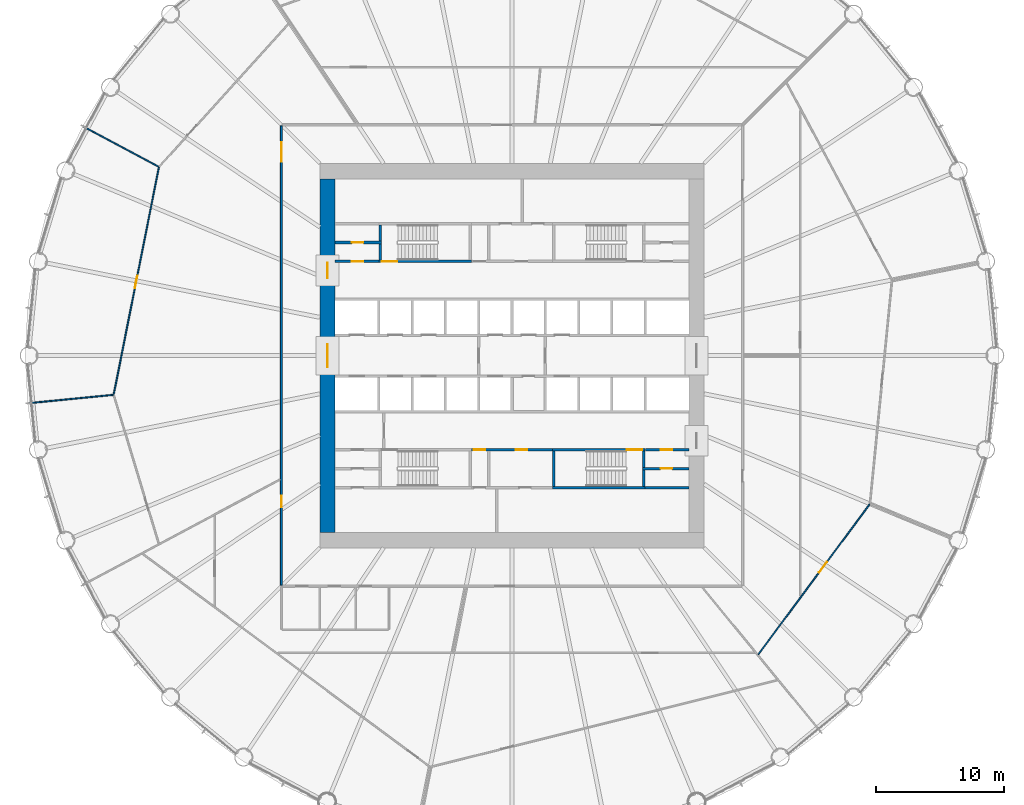
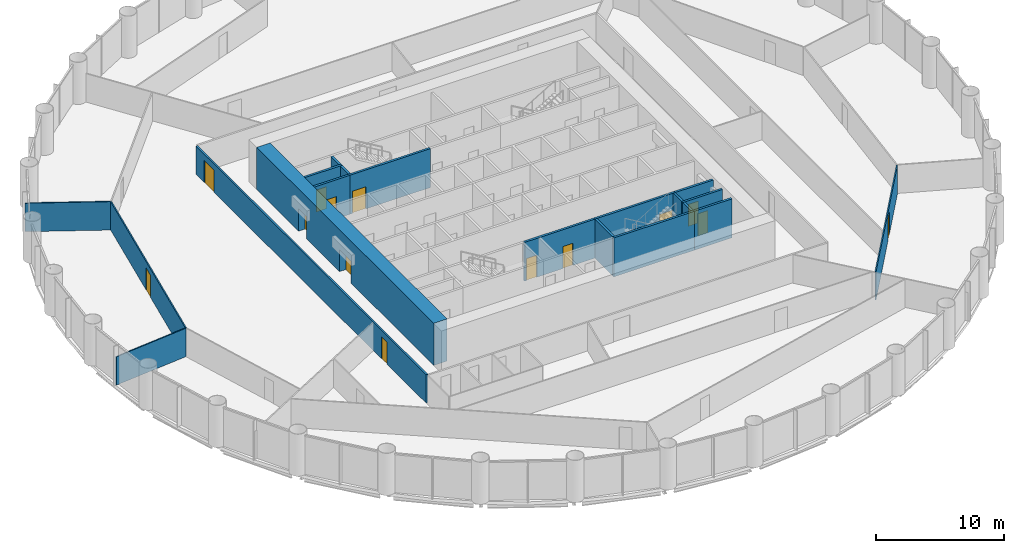
# One storey, part 11 of 15: 20 walls, 14 doors, 14 openings.
"""IFC4 building model written with IfcOpenShell, lengths in metres."""

from ifc_helpers import new_model, si_unit, direction, frame, frame_2d, origin, place, context, subcontext, project, spatial, polyline, rectangle, outline, extrude, material, layer, layer_set, type_object, element, fill, save


model = new_model("IFC4")

# Units and contexts
model_context = context("Model", 3, precision=1e-05, world=origin(), true_north=direction((0.0, 1.0)))
body_context = subcontext(model_context, "Body", "Model", "MODEL_VIEW")
ifc_project = project(units=[si_unit("LENGTHUNIT", "METRE"), si_unit("AREAUNIT", "SQUARE_METRE"), si_unit("VOLUMEUNIT", "CUBIC_METRE"), si_unit("PLANEANGLEUNIT", "RADIAN"), si_unit("MASSUNIT", "GRAM", prefix="KILO")], contexts=[model_context])

# Site, building, storey
site_placement = place(None, origin())
site = spatial("IfcSite", under=ifc_project, at=site_placement, CompositionType="ELEMENT")
building_placement = place(site_placement, origin())
building = spatial("IfcBuilding", under=site, at=building_placement, Name="Corvane Civic Tower", CompositionType="ELEMENT")
storey_placement = place(building_placement, frame((0.0, 0.0, 41.0)))
storey = spatial("IfcBuildingStorey", under=building, at=storey_placement, Name="L08", CompositionType="ELEMENT", Elevation=41.0)

# Wall, openings, doors
ifc_material_1 = material(Name="Concrete C80/95", Category="concrete")
ifc_layer_1 = layer(ifc_material_1, 1.199951171875)
ifc_layer_set_1 = layer_set([ifc_layer_1], Name="Concrete C80/95")
wall_type_1 = type_object("IfcWallType", Name="CORE WALL 1200 C80/95", PredefinedType="SHEAR", material=ifc_layer_set_1)
wall_1_placement = place(storey_placement, frame((-14.39990234375, -13.800048828125, 0.0), z_axis=(0.0, 0.0, 1.0), x_axis=(0.0, 1.0, 0.0)))
wall_1 = element("IfcWall", 1, at=wall_1_placement, inside=storey, type_object=wall_type_1, Name="W-L08-core-W", PredefinedType="SHEAR", context=body_context, shape_type="SweptSolid", body=[
    extrude(rectangle(XDim=27.60009765625, YDim=1.199951171875, at=frame_2d((13.800048828125, 0.0))), origin(), (0.0, 0.0, 1.0), 4.0),
])
opening_1_placement = place(wall_1_placement, frame((12.89990234375, 0.0, 0.0)))
opening_1 = element("IfcOpeningElement", 2, at=opening_1_placement, cuts=wall_1, Name="Opening L08.C26", PredefinedType="OPENING", context=body_context, shape_type="SweptSolid", body=[
    extrude(rectangle(XDim=1.800048828125, YDim=2.10009765625, at=frame_2d((0.89990234375, 1.050048828125))), frame((0.0, 0.60986328125, 0.0), z_axis=(0.0, -1.0, 0.0), x_axis=(1.0, 0.0, 0.0)), (0.0, 0.0, 1.0), 1.219970703125),
])
opening_2_placement = place(wall_1_placement, frame((19.85009765625, 0.0, 0.0)))
opening_2 = element("IfcOpeningElement", 3, at=opening_2_placement, cuts=wall_1, Name="Opening L08.C28", PredefinedType="OPENING", context=body_context, shape_type="SweptSolid", body=[
    extrude(rectangle(XDim=1.199951171875, YDim=2.10009765625, at=frame_2d((0.60009765625, 1.050048828125))), frame((0.0, 0.60986328125, 0.0), z_axis=(0.0, -1.0, 0.0), x_axis=(1.0, 0.0, 0.0)), (0.0, 0.0, 1.0), 1.219970703125),
])
ifc_material_2 = material(Name="Steel fire door leaf", Category="steel")
door_type_1 = type_object("IfcDoorType", Name="CR-DOOR-CORE-1800", OperationType="DOUBLE_DOOR_SINGLE_SWING", PredefinedType="DOOR", material=ifc_material_2)
door_1_placement = place(opening_1_placement, origin())
door_1 = element("IfcDoor", 4, at=door_1_placement, inside=storey, type_object=door_type_1, Name="L08 door", OperationType="DOUBLE_DOOR_SINGLE_SWING", OverallHeight=2.10009765625, OverallWidth=1.800048828125, PredefinedType="DOOR", context=body_context, shape_type="SweptSolid", body=[
    extrude(rectangle(XDim=1.800048828125, YDim=2.10009765625, at=frame_2d((0.89990234375, 1.050048828125))), frame((0.0, 0.02490234375, 0.0), z_axis=(0.0, -1.0, 0.0), x_axis=(1.0, 0.0, 0.0)), (0.0, 0.0, 1.0), 0.050048828125),
])
fill(opening_1, door_1)
door_2_placement = place(opening_2_placement, origin())
door_2 = element("IfcDoor", 5, at=door_2_placement, inside=storey, type_object=door_type_1, Name="L08 door", OperationType="DOUBLE_DOOR_SINGLE_SWING", OverallHeight=2.10009765625, OverallWidth=1.199951171875, PredefinedType="DOOR", context=body_context, shape_type="SweptSolid", body=[
    extrude(rectangle(XDim=1.199951171875, YDim=2.10009765625, at=frame_2d((0.60009765625, 1.050048828125))), frame((0.0, 0.02490234375, 0.0), z_axis=(0.0, -1.0, 0.0), x_axis=(1.0, 0.0, 0.0)), (0.0, 0.0, 1.0), 0.050048828125),
])
fill(opening_2, door_2)

# Wall, opening, door
ifc_material_3 = material(Name="Concrete C30/37", Category="concrete")
ifc_layer_2 = layer(ifc_material_3, 0.199951171875)
ifc_layer_set_2 = layer_set([ifc_layer_2], Name="Concrete C30/37")
wall_type_2 = type_object("IfcWallType", Name="CR-WALL-200", PredefinedType="PARTITIONING", material=ifc_layer_set_2)
wall_2_placement = place(storey_placement, frame((10.199951171875, -8.824951171875, 0.0), z_axis=(0.0, 0.0, 1.0), x_axis=(1.0, 0.0, 0.0)))
wall_2 = element("IfcWall", 6, at=wall_2_placement, inside=storey, type_object=wall_type_2, Name="L08 partition wall", PredefinedType="PARTITIONING", context=body_context, shape_type="SweptSolid", body=[
    extrude(rectangle(XDim=3.60009765625, YDim=0.199951171875, at=frame_2d((1.800048828125, 0.0))), origin(), (0.0, 0.0, 1.0), 3.699951171875),
])
opening_3_placement = place(wall_2_placement, frame((1.39990234375, 0.0, 0.0)))
opening_3 = element("IfcOpeningElement", 7, at=opening_3_placement, cuts=wall_2, Name="Opening L08.C18", PredefinedType="OPENING", context=body_context, shape_type="SweptSolid", body=[
    extrude(rectangle(XDim=0.89990234375, YDim=2.10009765625, at=frame_2d((0.449951171875, 1.050048828125))), frame((0.0, 0.10986328125, 0.0), z_axis=(0.0, -1.0, 0.0), x_axis=(1.0, 0.0, 0.0)), (0.0, 0.0, 1.0), 0.219970703125),
])
ifc_material_4 = material(Name="Steel fire door leaf", Category="steel")
door_type_2 = type_object("IfcDoorType", Name="CR-DOOR-900", OperationType="SINGLE_SWING_LEFT", PredefinedType="DOOR", material=ifc_material_4)
door_3_placement = place(opening_3_placement, origin())
door_3 = element("IfcDoor", 8, at=door_3_placement, inside=storey, type_object=door_type_2, Name="L08 door", OperationType="SINGLE_SWING_LEFT", OverallHeight=2.10009765625, OverallWidth=0.89990234375, PredefinedType="DOOR", context=body_context, shape_type="SweptSolid", body=[
    extrude(rectangle(XDim=0.89990234375, YDim=2.10009765625, at=frame_2d((0.449951171875, 1.050048828125))), frame((0.0, 0.02490234375, 0.0), z_axis=(0.0, -1.0, 0.0), x_axis=(1.0, 0.0, 0.0)), (0.0, 0.0, 1.0), 0.050048828125),
])
fill(opening_3, door_3)

# Wall, openings, doors
wall_3_placement = place(storey_placement, frame((-3.14990234375, -7.35009765625, 0.0), z_axis=(0.0, 0.0, 1.0), x_axis=(1.0, 0.0, 0.0)))
wall_3 = element("IfcWall", 9, at=wall_3_placement, inside=storey, type_object=wall_type_2, Name="L08 core partition wall", PredefinedType="PARTITIONING", context=body_context, shape_type="SweptSolid", body=[
    extrude(rectangle(XDim=6.2998046875, YDim=0.199951171875, at=frame_2d((3.14990234375, 0.0))), origin(), (0.0, 0.0, 1.0), 3.699951171875),
])
opening_4_placement = place(wall_3_placement, frame((0.175048828125, 0.0, 0.0)))
opening_4 = element("IfcOpeningElement", 10, at=opening_4_placement, cuts=wall_3, Name="Opening L08.C04", PredefinedType="OPENING", context=body_context, shape_type="SweptSolid", body=[
    extrude(rectangle(XDim=0.89990234375, YDim=2.10009765625, at=frame_2d((0.449951171875, 1.050048828125))), frame((0.0, 0.10986328125, 0.0), z_axis=(0.0, -1.0, 0.0), x_axis=(1.0, 0.0, 0.0)), (0.0, 0.0, 1.0), 0.219970703125),
])
opening_5_placement = place(wall_3_placement, frame((3.425048828125, 0.0, 0.0)))
opening_5 = element("IfcOpeningElement", 11, at=opening_5_placement, cuts=wall_3, Name="Opening L08.C05", PredefinedType="OPENING", context=body_context, shape_type="SweptSolid", body=[
    extrude(rectangle(XDim=0.89990234375, YDim=2.10009765625, at=frame_2d((0.449951171875, 1.050048828125))), frame((0.0, 0.10986328125, 0.0), z_axis=(0.0, -1.0, 0.0), x_axis=(1.0, 0.0, 0.0)), (0.0, 0.0, 1.0), 0.219970703125),
])
door_4_placement = place(opening_4_placement, origin())
door_4 = element("IfcDoor", 12, at=door_4_placement, inside=storey, type_object=door_type_2, Name="L08 door", OperationType="SINGLE_SWING_LEFT", OverallHeight=2.10009765625, OverallWidth=0.89990234375, PredefinedType="DOOR", context=body_context, shape_type="SweptSolid", body=[
    extrude(rectangle(XDim=0.89990234375, YDim=2.10009765625, at=frame_2d((0.449951171875, 1.050048828125))), frame((0.0, 0.02490234375, 0.0), z_axis=(0.0, -1.0, 0.0), x_axis=(1.0, 0.0, 0.0)), (0.0, 0.0, 1.0), 0.050048828125),
])
fill(opening_4, door_4)
door_5_placement = place(opening_5_placement, origin())
door_5 = element("IfcDoor", 13, at=door_5_placement, inside=storey, type_object=door_type_2, Name="L08 door", OperationType="SINGLE_SWING_LEFT", OverallHeight=2.10009765625, OverallWidth=0.89990234375, PredefinedType="DOOR", context=body_context, shape_type="SweptSolid", body=[
    extrude(rectangle(XDim=0.89990234375, YDim=2.10009765625, at=frame_2d((0.449951171875, 1.050048828125))), frame((0.0, 0.02490234375, 0.0), z_axis=(0.0, -1.0, 0.0), x_axis=(1.0, 0.0, 0.0)), (0.0, 0.0, 1.0), 0.050048828125),
])
fill(opening_5, door_5)

# Wall, opening, door
wall_4_placement = place(storey_placement, frame((10.39990234375, -7.35009765625, 0.0), z_axis=(0.0, 0.0, 1.0), x_axis=(1.0, 0.0, 0.0)))
wall_4 = element("IfcWall", 14, at=wall_4_placement, inside=storey, type_object=wall_type_2, Name="L08 core partition wall", PredefinedType="PARTITIONING", context=body_context, shape_type="SweptSolid", body=[
    extrude(rectangle(XDim=3.400146484375, YDim=0.199951171875, at=frame_2d((1.7001953125, 0.0))), origin(), (0.0, 0.0, 1.0), 3.699951171875),
])
opening_6_placement = place(wall_4_placement, frame((1.199951171875, 0.0, 0.0)))
opening_6 = element("IfcOpeningElement", 15, at=opening_6_placement, cuts=wall_4, Name="Opening L08.C17", PredefinedType="OPENING", context=body_context, shape_type="SweptSolid", body=[
    extrude(rectangle(XDim=0.89990234375, YDim=2.10009765625, at=frame_2d((0.449951171875, 1.050048828125))), frame((0.0, 0.10986328125, 0.0), z_axis=(0.0, -1.0, 0.0), x_axis=(1.0, 0.0, 0.0)), (0.0, 0.0, 1.0), 0.219970703125),
])
door_6_placement = place(opening_6_placement, origin())
door_6 = element("IfcDoor", 16, at=door_6_placement, inside=storey, type_object=door_type_2, Name="L08 door", OperationType="SINGLE_SWING_LEFT", OverallHeight=2.10009765625, OverallWidth=0.89990234375, PredefinedType="DOOR", context=body_context, shape_type="SweptSolid", body=[
    extrude(rectangle(XDim=0.89990234375, YDim=2.10009765625, at=frame_2d((0.449951171875, 1.050048828125))), frame((0.0, 0.02490234375, 0.0), z_axis=(0.0, -1.0, 0.0), x_axis=(1.0, 0.0, 0.0)), (0.0, 0.0, 1.0), 0.050048828125),
])
fill(opening_6, door_6)

wall_5_placement = place(storey_placement, frame((-13.800048828125, 7.35009765625, 0.0), z_axis=(0.0, 0.0, 1.0), x_axis=(1.0, 0.0, 0.0)))
wall_5 = element("IfcWall", 17, at=wall_5_placement, inside=storey, type_object=wall_type_2, Name="L08 core partition wall", PredefinedType="PARTITIONING", context=body_context, shape_type="SweptSolid", body=[
    extrude(rectangle(XDim=3.400146484375, YDim=0.199951171875, at=frame_2d((1.7001953125, 0.0))), origin(), (0.0, 0.0, 1.0), 3.699951171875),
])
opening_7_placement = place(wall_5_placement, frame((1.300048828125, 0.0, 0.0)))
opening_7 = element("IfcOpeningElement", 18, at=opening_7_placement, cuts=wall_5, Name="Opening L08.C10", PredefinedType="OPENING", context=body_context, shape_type="SweptSolid", body=[
    extrude(rectangle(XDim=0.89990234375, YDim=2.10009765625, at=frame_2d((0.449951171875, 1.050048828125))), frame((0.0, 0.10986328125, 0.0), z_axis=(0.0, -1.0, 0.0), x_axis=(1.0, 0.0, 0.0)), (0.0, 0.0, 1.0), 0.219970703125),
])
door_7_placement = place(opening_7_placement, origin())
door_7 = element("IfcDoor", 19, at=door_7_placement, inside=storey, type_object=door_type_2, Name="L08 door", OperationType="SINGLE_SWING_LEFT", OverallHeight=2.10009765625, OverallWidth=0.89990234375, PredefinedType="DOOR", context=body_context, shape_type="SweptSolid", body=[
    extrude(rectangle(XDim=0.89990234375, YDim=2.10009765625, at=frame_2d((0.449951171875, 1.050048828125))), frame((0.0, 0.02490234375, 0.0), z_axis=(0.0, -1.0, 0.0), x_axis=(1.0, 0.0, 0.0)), (0.0, 0.0, 1.0), 0.050048828125),
])
fill(opening_7, door_7)

wall_6_placement = place(storey_placement, frame((-13.800048828125, 8.824951171875, 0.0), z_axis=(0.0, 0.0, 1.0), x_axis=(1.0, 0.0, 0.0)))
wall_6 = element("IfcWall", 20, at=wall_6_placement, inside=storey, type_object=wall_type_2, Name="L08 partition wall", PredefinedType="PARTITIONING", context=body_context, shape_type="SweptSolid", body=[
    extrude(rectangle(XDim=3.60009765625, YDim=0.199951171875, at=frame_2d((1.800048828125, 0.0))), origin(), (0.0, 0.0, 1.0), 3.699951171875),
])
opening_8_placement = place(wall_6_placement, frame((1.300048828125, 0.0, 0.0)))
opening_8 = element("IfcOpeningElement", 21, at=opening_8_placement, cuts=wall_6, Name="Opening L08.C11", PredefinedType="OPENING", context=body_context, shape_type="SweptSolid", body=[
    extrude(rectangle(XDim=0.89990234375, YDim=2.10009765625, at=frame_2d((0.449951171875, 1.050048828125))), frame((0.0, 0.10986328125, 0.0), z_axis=(0.0, -1.0, 0.0), x_axis=(1.0, 0.0, 0.0)), (0.0, 0.0, 1.0), 0.219970703125),
])
door_8_placement = place(opening_8_placement, origin())
door_8 = element("IfcDoor", 22, at=door_8_placement, inside=storey, type_object=door_type_2, Name="L08 door", OperationType="SINGLE_SWING_LEFT", OverallHeight=2.10009765625, OverallWidth=0.89990234375, PredefinedType="DOOR", context=body_context, shape_type="SweptSolid", body=[
    extrude(rectangle(XDim=0.89990234375, YDim=2.10009765625, at=frame_2d((0.449951171875, 1.050048828125))), frame((0.0, 0.02490234375, 0.0), z_axis=(0.0, -1.0, 0.0), x_axis=(1.0, 0.0, 0.0)), (0.0, 0.0, 1.0), 0.050048828125),
])
fill(opening_8, door_8)

# Wall
wall_7_placement = place(storey_placement, origin())
element("IfcWall", 23, at=wall_7_placement, inside=storey, type_object=wall_type_2, Name="L08 core partition wall", PredefinedType="PARTITIONING", context=body_context, shape_type="SweptSolid", body=[
    extrude(outline(polyline([(10.39990234375, -10.39990234375), (10.39990234375, -10.199951171875), (13.800048828125, -10.199951171875), (13.800048828125, -10.39990234375), (10.39990234375, -10.39990234375)])), origin(), (0.0, 0.0, 1.0), 3.699951171875),
])

# Wall, opening, door
ifc_material_5 = material(Name="Plasterboard")
ifc_layer_3 = layer(ifc_material_5, 0.10009765625)
ifc_layer_set_3 = layer_set([ifc_layer_3], Name="Plasterboard")
wall_type_3 = type_object("IfcWallType", Name="Partition 100 plasterboard on studs", PredefinedType="PARTITIONING", material=ifc_layer_set_3)
wall_8_placement = place(storey_placement, frame((19.222900390625, -23.3251953125, 0.0), z_axis=(0.0, 0.0, 1.0), x_axis=(0.595692367328, 0.803212676386, 0.0)))
wall_8 = element("IfcWall", 24, at=wall_8_placement, inside=storey, type_object=wall_type_3, Name="Partition L08.005", PredefinedType="PARTITIONING", context=body_context, shape_type="SweptSolid", body=[
    extrude(rectangle(XDim=14.5927734375, YDim=0.10009765625, at=frame_2d((7.29638671875, 0.0))), origin(), (0.0, 0.0, 1.0), 2.699951171875),
])
opening_9_placement = place(wall_8_placement, frame((7.977783203125, 0.0, 0.0)))
opening_9 = element("IfcOpeningElement", 25, at=opening_9_placement, cuts=wall_8, Name="Opening L08.003", PredefinedType="OPENING", context=body_context, shape_type="SweptSolid", body=[
    extrude(rectangle(XDim=1.0, YDim=2.10009765625, at=frame_2d((0.5, 1.050048828125))), frame((0.0, 0.06005859375, 0.0), z_axis=(0.0, -1.0, 0.0), x_axis=(1.0, 0.0, 0.0)), (0.0, 0.0, 1.0), 0.1201171875),
])
ifc_material_6 = material(Name="Timber", Category="wood")
door_type_3 = type_object("IfcDoorType", Name="Single door 1000", OperationType="NOTDEFINED", PredefinedType="DOOR", material=ifc_material_6)
door_9_placement = place(opening_9_placement, frame((1.0, 0.0, 0.0), z_axis=(0.0, 0.0, 1.0), x_axis=(-1.0, 0.0, 0.0)))
door_9 = element("IfcDoor", 26, at=door_9_placement, inside=storey, type_object=door_type_3, Name="Door L08.003", OperationType="SINGLE_SWING_LEFT", OverallHeight=2.10009765625, OverallWidth=1.0, PredefinedType="DOOR", context=body_context, shape_type="SweptSolid", body=[
    extrude(rectangle(XDim=1.0, YDim=2.10009765625, at=frame_2d((0.5, 1.050048828125))), frame((0.0, 0.02490234375, 0.0), z_axis=(0.0, -1.0, 0.0), x_axis=(1.0, 0.0, 0.0)), (0.0, 0.0, 1.0), 0.050048828125),
])
fill(opening_9, door_9)

# Wall
wall_9_placement = place(storey_placement, frame((-37.767333984375, -3.7197265625, 0.0), z_axis=(0.0, 0.0, 1.0), x_axis=(0.995186878192, 0.097995293128, 0.0)))
element("IfcWall", 27, at=wall_9_placement, inside=storey, type_object=wall_type_3, Name="Partition L08.022", PredefinedType="PARTITIONING", context=body_context, shape_type="SweptSolid", body=[
    extrude(rectangle(XDim=6.666748046875, YDim=0.10009765625, at=frame_2d((3.33349609375, 0.0))), origin(), (0.0, 0.0, 1.0), 2.699951171875),
])

# Wall, opening, door
wall_10_placement = place(storey_placement, frame((-31.08447265625, -3.02587890625, 0.0), z_axis=(0.0, 0.0, 1.0), x_axis=(0.195094577549, 0.980784433916, 0.0)))
wall_10 = element("IfcWall", 28, at=wall_10_placement, inside=storey, type_object=wall_type_3, Name="Partition L08.023", PredefinedType="PARTITIONING", context=body_context, shape_type="SweptSolid", body=[
    extrude(rectangle(XDim=18.06396484375, YDim=0.10009765625, at=frame_2d((9.031982421875, 0.0))), origin(), (0.0, 0.0, 1.0), 2.699951171875),
])
opening_10_placement = place(wall_10_placement, frame((8.44921875, 0.0, 0.0)))
opening_10 = element("IfcOpeningElement", 29, at=opening_10_placement, cuts=wall_10, Name="Opening L08.017", PredefinedType="OPENING", context=body_context, shape_type="SweptSolid", body=[
    extrude(rectangle(XDim=1.0, YDim=2.10009765625, at=frame_2d((0.5, 1.050048828125))), frame((0.0, 0.06005859375, 0.0), z_axis=(0.0, -1.0, 0.0), x_axis=(1.0, 0.0, 0.0)), (0.0, 0.0, 1.0), 0.1201171875),
])
door_10_placement = place(opening_10_placement, origin())
door_10 = element("IfcDoor", 30, at=door_10_placement, inside=storey, type_object=door_type_3, Name="Door L08.017", OperationType="SINGLE_SWING_LEFT", OverallHeight=2.10009765625, OverallWidth=1.0, PredefinedType="DOOR", context=body_context, shape_type="SweptSolid", body=[
    extrude(rectangle(XDim=1.0, YDim=2.10009765625, at=frame_2d((0.5, 1.050048828125))), frame((0.0, 0.02490234375, 0.0), z_axis=(0.0, -1.0, 0.0), x_axis=(1.0, 0.0, 0.0)), (0.0, 0.0, 1.0), 0.050048828125),
])
fill(opening_10, door_10)

# Wall
wall_11_placement = place(storey_placement, frame((-33.468994140625, 17.8896484375, 0.0), z_axis=(0.0, 0.0, 1.0), x_axis=(0.881919860776, -0.471399362717, 0.0)))
element("IfcWall", 31, at=wall_11_placement, inside=storey, type_object=wall_type_3, Name="Partition L08.027", PredefinedType="PARTITIONING", context=body_context, shape_type="SweptSolid", body=[
    extrude(rectangle(XDim=6.669189453125, YDim=0.10009765625, at=frame_2d((3.33447265625, 0.0))), origin(), (0.0, 0.0, 1.0), 2.699951171875),
])

# Wall, opening, door
ifc_material_7 = material(Name="Concrete C50/60", Category="concrete")
ifc_layer_4 = layer(ifc_material_7, 0.199951171875)
ifc_layer_set_4 = layer_set([ifc_layer_4], Name="Concrete C50/60")
wall_type_4 = type_object("IfcWallType", Name="ST-WALL-200", PredefinedType="SHEAR", material=ifc_layer_set_4)
wall_12_placement = place(storey_placement, frame((3.14990234375, -7.35009765625, 0.0), z_axis=(0.0, 0.0, 1.0), x_axis=(1.0, 0.0, 0.0)))
wall_12 = element("IfcWall", 32, at=wall_12_placement, inside=storey, type_object=wall_type_4, Name="L08 stair enclosure wall", PredefinedType="SHEAR", context=body_context, shape_type="SweptSolid", body=[
    extrude(rectangle(XDim=7.25, YDim=0.199951171875, at=frame_2d((3.625, 0.0))), origin(), (0.0, 0.0, 1.0), 3.699951171875),
])
opening_11_placement = place(wall_12_placement, frame((5.800048828125, 0.0, 0.0)))
opening_11 = element("IfcOpeningElement", 33, at=opening_11_placement, cuts=wall_12, Name="Opening L08.C21", PredefinedType="OPENING", context=body_context, shape_type="SweptSolid", body=[
    extrude(rectangle(XDim=1.199951171875, YDim=2.10009765625, at=frame_2d((0.60009765625, 1.050048828125))), frame((0.0, 0.10986328125, 0.0), z_axis=(0.0, -1.0, 0.0), x_axis=(1.0, 0.0, 0.0)), (0.0, 0.0, 1.0), 0.219970703125),
])
ifc_material_8 = material(Name="Steel fire door leaf", Category="steel")
door_type_4 = type_object("IfcDoorType", Name="ST-DOOR-1200", OperationType="SINGLE_SWING_RIGHT", PredefinedType="DOOR", material=ifc_material_8)
door_11_placement = place(opening_11_placement, origin())
door_11 = element("IfcDoor", 34, at=door_11_placement, inside=storey, type_object=door_type_4, Name="L08 stair door", OperationType="SINGLE_SWING_RIGHT", OverallHeight=2.10009765625, OverallWidth=1.199951171875, PredefinedType="DOOR", context=body_context, shape_type="SweptSolid", body=[
    extrude(rectangle(XDim=1.199951171875, YDim=2.10009765625, at=frame_2d((0.60009765625, 1.050048828125))), frame((0.0, 0.02490234375, 0.0), z_axis=(0.0, -1.0, 0.0), x_axis=(1.0, 0.0, 0.0)), (0.0, 0.0, 1.0), 0.050048828125),
])
fill(opening_11, door_11)

wall_13_placement = place(storey_placement, frame((-10.39990234375, 7.35009765625, 0.0), z_axis=(0.0, 0.0, 1.0), x_axis=(1.0, 0.0, 0.0)))
wall_13 = element("IfcWall", 35, at=wall_13_placement, inside=storey, type_object=wall_type_4, Name="L08 stair enclosure wall", PredefinedType="SHEAR", context=body_context, shape_type="SweptSolid", body=[
    extrude(rectangle(XDim=7.25, YDim=0.199951171875, at=frame_2d((3.625, 0.0))), origin(), (0.0, 0.0, 1.0), 3.699951171875),
])
opening_12_placement = place(wall_13_placement, frame((0.25, 0.0, 0.0)))
opening_12 = element("IfcOpeningElement", 36, at=opening_12_placement, cuts=wall_13, Name="Opening L08.C20", PredefinedType="OPENING", context=body_context, shape_type="SweptSolid", body=[
    extrude(rectangle(XDim=1.199951171875, YDim=2.10009765625, at=frame_2d((0.60009765625, 1.050048828125))), frame((0.0, 0.10986328125, 0.0), z_axis=(0.0, -1.0, 0.0), x_axis=(1.0, 0.0, 0.0)), (0.0, 0.0, 1.0), 0.219970703125),
])
door_12_placement = place(opening_12_placement, origin())
door_12 = element("IfcDoor", 37, at=door_12_placement, inside=storey, type_object=door_type_4, Name="L08 stair door", OperationType="SINGLE_SWING_RIGHT", OverallHeight=2.10009765625, OverallWidth=1.199951171875, PredefinedType="DOOR", context=body_context, shape_type="SweptSolid", body=[
    extrude(rectangle(XDim=1.199951171875, YDim=2.10009765625, at=frame_2d((0.60009765625, 1.050048828125))), frame((0.0, 0.02490234375, 0.0), z_axis=(0.0, -1.0, 0.0), x_axis=(1.0, 0.0, 0.0)), (0.0, 0.0, 1.0), 0.050048828125),
])
fill(opening_12, door_12)

# Walls
wall_14_placement = place(storey_placement, origin())
element("IfcWall", 38, at=wall_14_placement, inside=storey, type_object=wall_type_4, Name="L08 stair enclosure wall", PredefinedType="SHEAR", context=body_context, shape_type="SweptSolid", body=[
    extrude(outline(polyline([(10.39990234375, -10.39990234375), (3.14990234375, -10.39990234375), (3.14990234375, -10.199951171875), (10.39990234375, -10.199951171875), (10.39990234375, -10.39990234375)])), origin(), (0.0, 0.0, 1.0), 3.699951171875),
])
wall_15_placement = place(storey_placement, origin())
element("IfcWall", 39, at=wall_15_placement, inside=storey, type_object=wall_type_4, Name="L08 stair enclosure wall", PredefinedType="SHEAR", context=body_context, shape_type="SweptSolid", body=[
    extrude(outline(polyline([(3.35009765625, -7.449951171875), (3.35009765625, -10.199951171875), (3.14990234375, -10.199951171875), (3.14990234375, -7.449951171875), (3.35009765625, -7.449951171875)])), origin(), (0.0, 0.0, 1.0), 3.699951171875),
])
wall_16_placement = place(storey_placement, origin())
element("IfcWall", 40, at=wall_16_placement, inside=storey, type_object=wall_type_4, Name="L08 stair enclosure wall", PredefinedType="SHEAR", context=body_context, shape_type="SweptSolid", body=[
    extrude(outline(polyline([(-10.199951171875, 8.72509765625), (-10.199951171875, 7.449951171875), (-10.39990234375, 7.449951171875), (-10.39990234375, 8.72509765625), (-10.199951171875, 8.72509765625)])), origin(), (0.0, 0.0, 1.0), 3.699951171875),
])
wall_17_placement = place(storey_placement, origin())
element("IfcWall", 41, at=wall_17_placement, inside=storey, type_object=wall_type_4, Name="L08 stair enclosure wall", PredefinedType="SHEAR", context=body_context, shape_type="SweptSolid", body=[
    extrude(outline(polyline([(10.39990234375, -7.449951171875), (10.39990234375, -8.72509765625), (10.199951171875, -8.72509765625), (10.199951171875, -7.449951171875), (10.39990234375, -7.449951171875)])), origin(), (0.0, 0.0, 1.0), 3.699951171875),
])
wall_18_placement = place(storey_placement, origin())
element("IfcWall", 42, at=wall_18_placement, inside=storey, type_object=wall_type_4, Name="L08 stair enclosure wall", PredefinedType="SHEAR", context=body_context, shape_type="SweptSolid", body=[
    extrude(outline(polyline([(-10.199951171875, 8.925048828125), (-10.39990234375, 8.925048828125), (-10.39990234375, 10.199951171875), (-10.199951171875, 10.199951171875), (-10.199951171875, 8.925048828125)])), origin(), (0.0, 0.0, 1.0), 3.699951171875),
])
wall_19_placement = place(storey_placement, origin())
element("IfcWall", 43, at=wall_19_placement, inside=storey, type_object=wall_type_4, Name="L08 stair enclosure wall", PredefinedType="SHEAR", context=body_context, shape_type="SweptSolid", body=[
    extrude(outline(polyline([(10.39990234375, -8.925048828125), (10.39990234375, -10.199951171875), (10.199951171875, -10.199951171875), (10.199951171875, -8.925048828125), (10.39990234375, -8.925048828125)])), origin(), (0.0, 0.0, 1.0), 3.699951171875),
])

# Wall, openings, doors
ifc_material_9 = material(Name="Plasterboard")
ifc_layer_5 = layer(ifc_material_9, 0.14990234375)
ifc_layer_set_5 = layer_set([ifc_layer_5], Name="Plasterboard")
wall_type_5 = type_object("IfcWallType", Name="Tenancy wall 150 EI 60", PredefinedType="PARTITIONING", material=ifc_layer_set_5)
wall_20_placement = place(storey_placement, frame((-18.0, -17.924072265625, 0.0), z_axis=(0.0, 0.0, 1.0), x_axis=(0.0, 1.0, 0.0)))
wall_20 = element("IfcWall", 44, at=wall_20_placement, inside=storey, type_object=wall_type_5, Name="Partition L08.017", PredefinedType="PARTITIONING", context=body_context, shape_type="SweptSolid", body=[
    extrude(rectangle(XDim=35.84912109375, YDim=0.14990234375, at=frame_2d((17.924560546875, 0.0))), origin(), (0.0, 0.0, 1.0), 2.699951171875),
])
opening_13_placement = place(wall_20_placement, frame((6.07958984375, 0.0, 0.0)))
opening_13 = element("IfcOpeningElement", 45, at=opening_13_placement, cuts=wall_20, Name="Opening L08.012", PredefinedType="OPENING", context=body_context, shape_type="SweptSolid", body=[
    extrude(rectangle(XDim=0.89990234375, YDim=2.10009765625, at=frame_2d((0.449951171875, 1.050048828125))), frame((0.0, 0.0849609375, 0.0), z_axis=(0.0, -1.0, 0.0), x_axis=(1.0, 0.0, 0.0)), (0.0, 0.0, 1.0), 0.169921875),
])
opening_14_placement = place(wall_20_placement, frame((33.059814453125, 0.0, 0.0)))
opening_14 = element("IfcOpeningElement", 46, at=opening_14_placement, cuts=wall_20, Name="Opening L08.019", PredefinedType="OPENING", context=body_context, shape_type="SweptSolid", body=[
    extrude(rectangle(XDim=1.5, YDim=2.10009765625, at=frame_2d((0.75, 1.050048828125))), frame((0.0, 0.0849609375, 0.0), z_axis=(0.0, -1.0, 0.0), x_axis=(1.0, 0.0, 0.0)), (0.0, 0.0, 1.0), 0.169921875),
])
ifc_material_10 = material(Name="Steel and timber", Category="steel")
door_type_5 = type_object("IfcDoorType", Name="Fire door FD30S 900", OperationType="NOTDEFINED", PredefinedType="DOOR", material=ifc_material_10)
door_13_placement = place(opening_13_placement, origin())
door_13 = element("IfcDoor", 47, at=door_13_placement, inside=storey, type_object=door_type_5, Name="Door L08.012", OperationType="SINGLE_SWING_LEFT", OverallHeight=2.10009765625, OverallWidth=0.89990234375, PredefinedType="DOOR", context=body_context, shape_type="SweptSolid", body=[
    extrude(rectangle(XDim=0.89990234375, YDim=2.10009765625, at=frame_2d((0.449951171875, 1.050048828125))), frame((0.0, 0.02490234375, 0.0), z_axis=(0.0, -1.0, 0.0), x_axis=(1.0, 0.0, 0.0)), (0.0, 0.0, 1.0), 0.050048828125),
])
fill(opening_13, door_13)
ifc_material_11 = material(Name="Steel and timber", Category="steel")
door_type_6 = type_object("IfcDoorType", Name="Fire door FD60 double 1500", OperationType="NOTDEFINED", PredefinedType="DOOR", material=ifc_material_11)
door_14_placement = place(opening_14_placement, origin())
door_14 = element("IfcDoor", 48, at=door_14_placement, inside=storey, type_object=door_type_6, Name="Door L08.019", OperationType="DOUBLE_DOOR_SINGLE_SWING", OverallHeight=2.10009765625, OverallWidth=1.5, PredefinedType="DOOR", context=body_context, shape_type="SweptSolid", body=[
    extrude(rectangle(XDim=1.5, YDim=2.10009765625, at=frame_2d((0.75, 1.050048828125))), frame((0.0, 0.02490234375, 0.0), z_axis=(0.0, -1.0, 0.0), x_axis=(1.0, 0.0, 0.0)), (0.0, 0.0, 1.0), 0.050048828125),
])
fill(opening_14, door_14)

save(model, "model.ifc")
